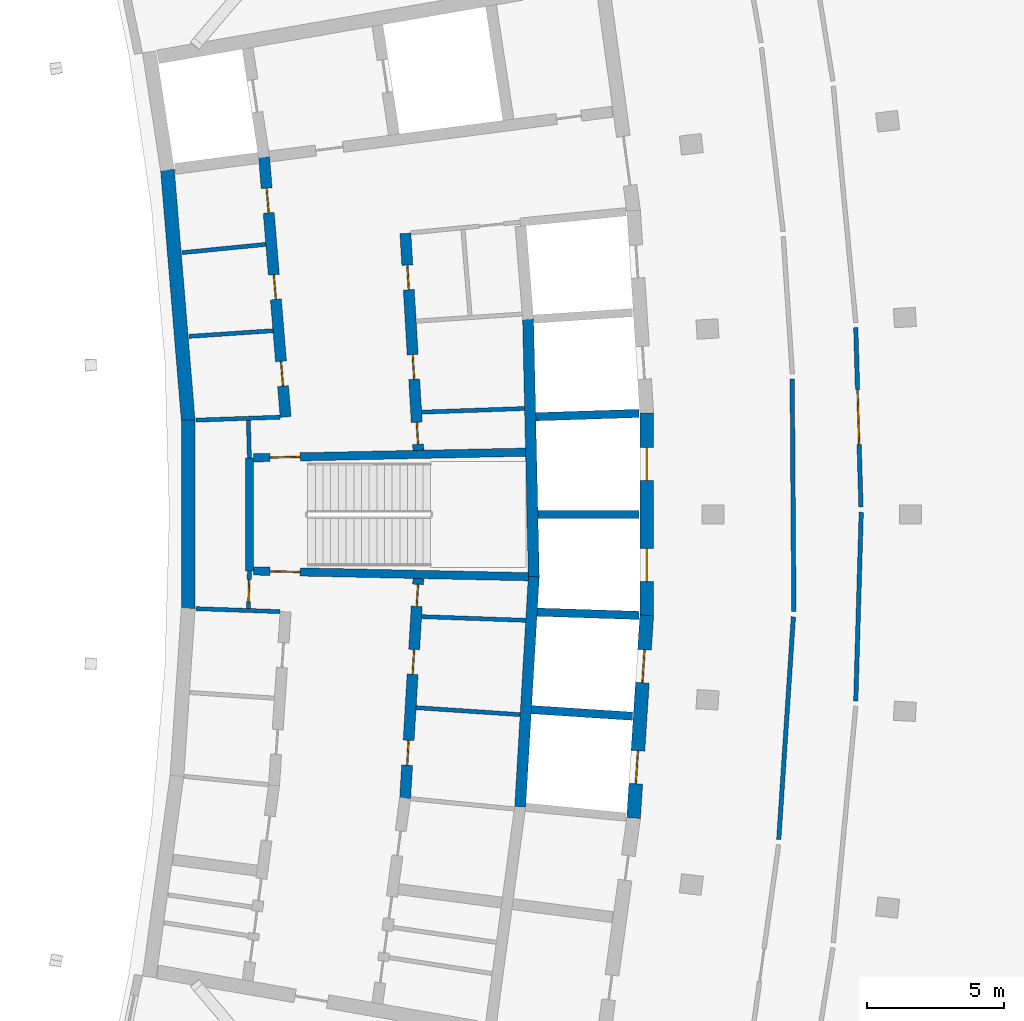
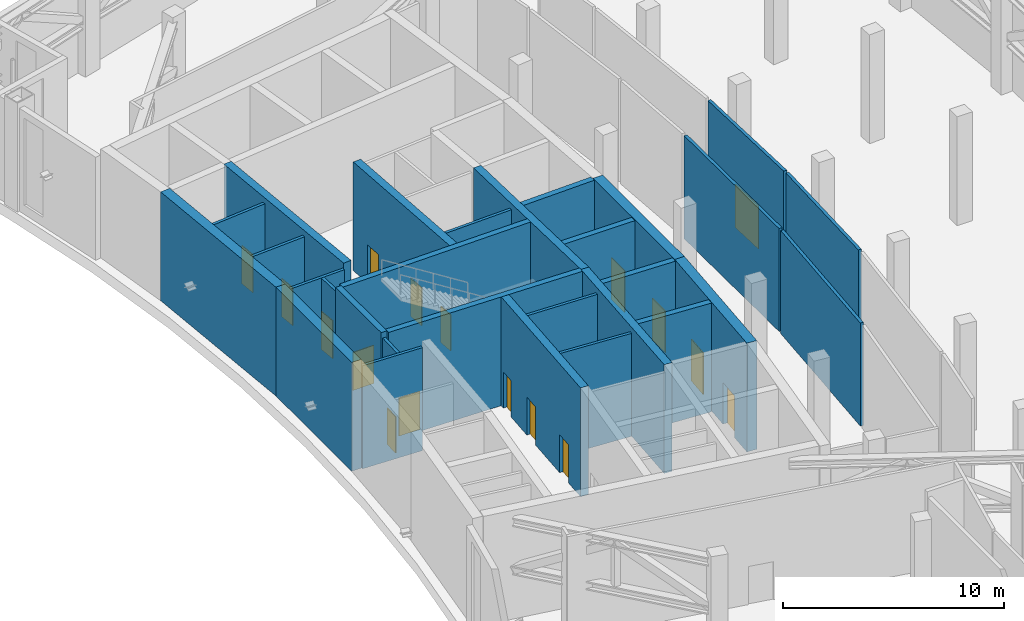
# One storey, part 15 of 23: 29 walls, 17 doors, 17 openings.
"""IFC4 building model written with IfcOpenShell, lengths in metres."""

from ifc_helpers import new_model, si_unit, direction, frame, frame_2d, origin, place, context, subcontext, project, spatial, rectangle, extrude, material, layer, layer_set, type_object, element, fill, save


model = new_model("IFC4")

# Units and contexts
model_context = context("Model", 3, precision=1e-05, world=origin(), true_north=direction((0.0, 1.0)))
body_context = subcontext(model_context, "Body", "Model", "MODEL_VIEW")
ifc_project = project(units=[si_unit("LENGTHUNIT", "METRE"), si_unit("AREAUNIT", "SQUARE_METRE"), si_unit("VOLUMEUNIT", "CUBIC_METRE"), si_unit("PLANEANGLEUNIT", "RADIAN"), si_unit("MASSUNIT", "GRAM", prefix="KILO")], contexts=[model_context])

# Site, building, storey
site_placement = place(None, origin())
site = spatial("IfcSite", under=ifc_project, at=site_placement, CompositionType="ELEMENT")
building_placement = place(site_placement, origin())
building = spatial("IfcBuilding", under=site, at=building_placement, Name="Alderwake Tower", CompositionType="ELEMENT")
storey_placement = place(building_placement, frame((0.0, 0.0, 239.60009765625)))
storey = spatial("IfcBuildingStorey", under=building, at=storey_placement, Name="L59", CompositionType="ELEMENT", Elevation=239.60009765625)

# Walls
ifc_material_1 = material(Name="Gypsum shaft wall system, rated")
ifc_layer_1 = layer(ifc_material_1, 0.14990234375)
ifc_layer_set_1 = layer_set([ifc_layer_1], Name="Core riser partition 150")
wall_type_1 = type_object("IfcWallType", Name="Core riser partition 150", PredefinedType="PARTITIONING", material=ifc_layer_set_1)
wall_1_placement = place(storey_placement, frame((25.1904296875, 57.276611328125, 0.0), z_axis=(0.0, 0.0, 1.0), x_axis=(0.999373547283, -0.03539086028, 0.0)))
element("IfcWall", 1, at=wall_1_placement, inside=storey, type_object=wall_type_1, Name="CW/L59/PR-37_+86", PredefinedType="PARTITIONING", context=body_context, shape_type="SweptSolid", body=[
    extrude(rectangle(XDim=3.794189453125, YDim=0.14990234375, at=frame_2d((1.89697265625, 0.0))), origin(), (0.0, 0.0, 1.0), 5.679931640625),
])
wall_2_placement = place(storey_placement, frame((25.191162109375, 64.723388671875, 0.0), z_axis=(0.0, 0.0, 1.0), x_axis=(0.999373256208, 0.035399078746, 0.0)))
element("IfcWall", 2, at=wall_2_placement, inside=storey, type_object=wall_type_1, Name="CW/L59/PR+37_+86", PredefinedType="PARTITIONING", context=body_context, shape_type="SweptSolid", body=[
    extrude(rectangle(XDim=3.751953125, YDim=0.14990234375, at=frame_2d((1.8759765625, 0.0))), origin(), (0.0, 0.0, 1.0), 5.679931640625),
])

# Wall, opening, door
ifc_material_2 = material(Name="Gypsum shaft wall system, rated")
ifc_layer_2 = layer(ifc_material_2, 0.14990234375)
ifc_layer_set_2 = layer_set([ifc_layer_2], Name="Core room partition 150")
wall_type_2 = type_object("IfcWallType", Name="Core room partition 150", PredefinedType="PARTITIONING", material=ifc_layer_set_2)
wall_3_placement = place(storey_placement, frame((18.918701171875, 58.94384765625, 0.0), z_axis=(0.0, 0.0, 1.0), x_axis=(-0.027811602725, -0.999613182563, 0.0)))
wall_3 = element("IfcWall", 3, at=wall_3_placement, inside=storey, type_object=wall_type_2, Name="CW/L59/PA+24_-37", PredefinedType="PARTITIONING", context=body_context, shape_type="SweptSolid", body=[
    extrude(rectangle(XDim=1.369384765625, YDim=0.14990234375, at=frame_2d((0.6845703125, 0.0))), origin(), (0.0, 0.0, 1.0), 5.679931640625),
])
opening_1_placement = place(wall_3_placement, frame((0.322998046875, 0.0, 0.0)))
opening_1 = element("IfcOpeningElement", 4, at=opening_1_placement, cuts=wall_3, Name="Opening C004", PredefinedType="OPENING", context=body_context, shape_type="SweptSolid", body=[
    extrude(rectangle(XDim=0.800048828125, YDim=2.0, at=frame_2d((0.39990234375, 1.0))), frame((0.0, 0.0849609375, 0.0), z_axis=(0.0, -1.0, 0.0), x_axis=(1.0, 0.0, 0.0)), (0.0, 0.0, 1.0), 0.169921875),
])
ifc_material_3 = material(Name="Painted steel leaf, rated", Category="steel")
door_type_1 = type_object("IfcDoorType", Name="Riser access door 800", OperationType="SINGLE_SWING_LEFT", PredefinedType="DOOR", material=ifc_material_3)
door_1_placement = place(opening_1_placement, origin())
door_1 = element("IfcDoor", 5, at=door_1_placement, inside=storey, type_object=door_type_1, Name="Riser access door", OperationType="SINGLE_SWING_RIGHT", OverallHeight=2.0, OverallWidth=0.800048828125, PredefinedType="DOOR", context=body_context, shape_type="SweptSolid", body=[
    extrude(rectangle(XDim=0.800048828125, YDim=2.0, at=frame_2d((0.39990234375, 1.0))), frame((0.0, 0.02490234375, 0.0), z_axis=(0.0, -1.0, 0.0), x_axis=(1.0, 0.0, 0.0)), (0.0, 0.0, 1.0), 0.050048828125),
])
fill(opening_1, door_1)

# Walls
wall_4_placement = place(storey_placement, frame((18.918701171875, 63.05517578125, 0.0), z_axis=(0.0, 0.0, 1.0), x_axis=(-0.027791791559, 0.99961373356, 0.0)))
element("IfcWall", 6, at=wall_4_placement, inside=storey, type_object=wall_type_2, Name="CW/L59/PA+24_+22", PredefinedType="PARTITIONING", context=body_context, shape_type="SweptSolid", body=[
    extrude(rectangle(XDim=1.370361328125, YDim=0.14990234375, at=frame_2d((0.68505859375, 0.0))), origin(), (0.0, 0.0, 1.0), 5.679931640625),
])
wall_5_placement = place(storey_placement, frame((24.990234375, 53.96142578125, 0.0), z_axis=(0.0, 0.0, 1.0), x_axis=(0.997761767472, -0.066868941756, 0.0)))
element("IfcWall", 7, at=wall_5_placement, inside=storey, type_object=wall_type_2, Name="CW/L59/PR-70_+86", PredefinedType="PARTITIONING", context=body_context, shape_type="SweptSolid", body=[
    extrude(rectangle(XDim=3.797119140625, YDim=0.14990234375, at=frame_2d((1.8984375, 0.0))), origin(), (0.0, 0.0, 1.0), 5.679931640625),
])
for number, where, z_axis, x_axis, name in (
    (8, (16.969482421875, 57.5673828125, 0.0), (0.0, 0.0, 1.0), (0.999376258731, -0.035314210814, 0.0), "CW/L59/PR-37_+0"),
    (9, (16.969482421875, 64.4326171875, 0.0), (0.0, 0.0, 1.0), (0.999376258731, 0.035314210814, 0.0), "CW/L59/PR+37_+0"),
):
    element("IfcWall", number, at=place(storey_placement, frame(where, z_axis=z_axis, x_axis=x_axis)), inside=storey, type_object=wall_type_2, Name=name, PredefinedType="PARTITIONING", context=body_context, shape_type="SweptSolid", body=[
        extrude(rectangle(XDim=3.069580078125, YDim=0.14990234375, at=frame_2d((1.53466796875, 0.0))), origin(), (0.0, 0.0, 1.0), 5.679931640625),
    ])
for number, where, z_axis, x_axis, name in (
    (10, (16.716552734375, 67.48388671875, 0.0), (0.0, 0.0, 1.0), (0.997761137574, 0.066878339895, 0.0), "CW/L59/PR+70_+0"),
    (11, (16.4638671875, 70.5322265625, 0.0), (0.0, 0.0, 1.0), (0.995153954228, 0.098329077004, 0.0), "CW/L59/PR+103_+0"),
):
    element("IfcWall", number, at=place(storey_placement, frame(where, z_axis=z_axis, x_axis=x_axis)), inside=storey, type_object=wall_type_2, Name=name, PredefinedType="PARTITIONING", context=body_context, shape_type="SweptSolid", body=[
        extrude(rectangle(XDim=3.06640625, YDim=0.14990234375, at=frame_2d((1.533203125, 0.0))), origin(), (0.0, 0.0, 1.0), 5.679931640625),
    ])
ifc_material_4 = material(Name="Concrete C70/85", Category="concrete")
ifc_layer_3 = layer(ifc_material_4, 0.5)
ifc_layer_set_3 = layer_set([ifc_layer_3], Name="Core wall outer 500 C70-85")
wall_type_3 = type_object("IfcWallType", Name="Core wall outer 500 C70-85", PredefinedType="SHEAR", material=ifc_layer_set_3)
wall_6_placement = place(storey_placement, frame((16.689453125, 57.568603515625, 0.0), z_axis=(0.0, 0.0, 1.0), x_axis=(0.0, 1.0, 0.0)))
element("IfcWall", 12, at=wall_6_placement, inside=storey, type_object=wall_type_3, Name="Core wall CW.029", PredefinedType="SHEAR", context=body_context, shape_type="SweptSolid", body=[
    extrude(rectangle(XDim=6.86474609375, YDim=0.5, at=frame_2d((3.432373046875, 0.0))), origin(), (0.0, 0.0, 1.0), 6.0),
])
wall_7_placement = place(storey_placement, frame((16.690185546875, 64.41162109375, 0.0), z_axis=(0.0, 0.0, 1.0), x_axis=(-0.082611702064, 0.996581811334, 0.0)))
element("IfcWall", 13, at=wall_7_placement, inside=storey, type_object=wall_type_3, Name="Core wall CW.026", PredefinedType="SHEAR", context=body_context, shape_type="SweptSolid", body=[
    extrude(rectangle(XDim=9.176025390625, YDim=0.5, at=frame_2d((4.587890625, 0.0))), origin(), (0.0, 0.0, 1.0), 6.0),
])

# Wall, openings, doors
wall_8_placement = place(storey_placement, frame((32.91015625, 49.942138671875, 0.0), z_axis=(0.0, 0.0, 1.0), x_axis=(0.064980500916, 0.997886533881, 0.0)))
wall_8 = element("IfcWall", 14, at=wall_8_placement, inside=storey, type_object=wall_type_3, Name="Core wall CW.021", PredefinedType="SHEAR", context=body_context, shape_type="SweptSolid", body=[
    extrude(rectangle(XDim=7.39404296875, YDim=0.5, at=frame_2d((3.697021484375, 0.0))), origin(), (0.0, 0.0, 1.0), 6.0),
])
opening_2_placement = place(wall_8_placement, frame((1.253173828125, 0.0, 0.0)))
opening_2 = element("IfcOpeningElement", 15, at=opening_2_placement, cuts=wall_8, Name="Opening LD-HP1", PredefinedType="OPENING", context=body_context, shape_type="SweptSolid", body=[
    extrude(rectangle(XDim=1.199951171875, YDim=2.300048828125, at=frame_2d((0.60009765625, 1.14990234375))), frame((0.0, 0.260009765625, 0.0), z_axis=(0.0, -1.0, 0.0), x_axis=(1.0, 0.0, 0.0)), (0.0, 0.0, 1.0), 0.52001953125),
])
opening_3_placement = place(wall_8_placement, frame((4.941650390625, 0.0, 0.0)))
opening_3 = element("IfcOpeningElement", 16, at=opening_3_placement, cuts=wall_8, Name="Opening LD-HP2", PredefinedType="OPENING", context=body_context, shape_type="SweptSolid", body=[
    extrude(rectangle(XDim=1.199951171875, YDim=2.300048828125, at=frame_2d((0.60009765625, 1.14990234375))), frame((0.0, 0.260009765625, 0.0), z_axis=(0.0, -1.0, 0.0), x_axis=(1.0, 0.0, 0.0)), (0.0, 0.0, 1.0), 0.52001953125),
])
ifc_material_5 = material(Name="Stainless steel sliding leaf", Category="steel")
door_type_2 = type_object("IfcDoorType", Name="Lift landing door 1200", OperationType="SLIDING_TO_LEFT", PredefinedType="DOOR", material=ifc_material_5)
door_2_placement = place(opening_2_placement, origin())
door_2 = element("IfcDoor", 17, at=door_2_placement, inside=storey, type_object=door_type_2, Name="Lift landing door HP1", OperationType="SLIDING_TO_LEFT", OverallHeight=2.300048828125, OverallWidth=1.199951171875, PredefinedType="DOOR", context=body_context, shape_type="SweptSolid", body=[
    extrude(rectangle(XDim=1.199951171875, YDim=2.300048828125, at=frame_2d((0.60009765625, 1.14990234375))), frame((0.0, 0.02490234375, 0.0), z_axis=(0.0, -1.0, 0.0), x_axis=(1.0, 0.0, 0.0)), (0.0, 0.0, 1.0), 0.050048828125),
])
fill(opening_2, door_2)
door_3_placement = place(opening_3_placement, origin())
door_3 = element("IfcDoor", 18, at=door_3_placement, inside=storey, type_object=door_type_2, Name="Lift landing door HP2", OperationType="SLIDING_TO_LEFT", OverallHeight=2.300048828125, OverallWidth=1.199951171875, PredefinedType="DOOR", context=body_context, shape_type="SweptSolid", body=[
    extrude(rectangle(XDim=1.199951171875, YDim=2.300048828125, at=frame_2d((0.60009765625, 1.14990234375))), frame((0.0, 0.02490234375, 0.0), z_axis=(0.0, -1.0, 0.0), x_axis=(1.0, 0.0, 0.0)), (0.0, 0.0, 1.0), 0.050048828125),
])
fill(opening_3, door_3)

wall_9_placement = place(storey_placement, frame((33.389892578125, 57.30322265625, 0.0), z_axis=(0.0, 0.0, 1.0), x_axis=(0.0, 1.0, 0.0)))
wall_9 = element("IfcWall", 19, at=wall_9_placement, inside=storey, type_object=wall_type_3, Name="Core wall CW.023", PredefinedType="SHEAR", context=body_context, shape_type="SweptSolid", body=[
    extrude(rectangle(XDim=7.3935546875, YDim=0.5, at=frame_2d((3.69677734375, 0.0))), origin(), (0.0, 0.0, 1.0), 6.0),
])
opening_4_placement = place(wall_9_placement, frame((1.25244140625, 0.0, 0.0)))
opening_4 = element("IfcOpeningElement", 20, at=opening_4_placement, cuts=wall_9, Name="Opening LD-HP3", PredefinedType="OPENING", context=body_context, shape_type="SweptSolid", body=[
    extrude(rectangle(XDim=1.199951171875, YDim=2.300048828125, at=frame_2d((0.60009765625, 1.14990234375))), frame((0.0, 0.260009765625, 0.0), z_axis=(0.0, -1.0, 0.0), x_axis=(1.0, 0.0, 0.0)), (0.0, 0.0, 1.0), 0.52001953125),
])
opening_5_placement = place(wall_9_placement, frame((4.94091796875, 0.0, 0.0)))
opening_5 = element("IfcOpeningElement", 21, at=opening_5_placement, cuts=wall_9, Name="Opening LD-HP4", PredefinedType="OPENING", context=body_context, shape_type="SweptSolid", body=[
    extrude(rectangle(XDim=1.199951171875, YDim=2.300048828125, at=frame_2d((0.60009765625, 1.14990234375))), frame((0.0, 0.260009765625, 0.0), z_axis=(0.0, -1.0, 0.0), x_axis=(1.0, 0.0, 0.0)), (0.0, 0.0, 1.0), 0.52001953125),
])
door_4_placement = place(opening_4_placement, origin())
door_4 = element("IfcDoor", 22, at=door_4_placement, inside=storey, type_object=door_type_2, Name="Lift landing door HP3", OperationType="SLIDING_TO_LEFT", OverallHeight=2.300048828125, OverallWidth=1.199951171875, PredefinedType="DOOR", context=body_context, shape_type="SweptSolid", body=[
    extrude(rectangle(XDim=1.199951171875, YDim=2.300048828125, at=frame_2d((0.60009765625, 1.14990234375))), frame((0.0, 0.02490234375, 0.0), z_axis=(0.0, -1.0, 0.0), x_axis=(1.0, 0.0, 0.0)), (0.0, 0.0, 1.0), 0.050048828125),
])
fill(opening_4, door_4)
door_5_placement = place(opening_5_placement, origin())
door_5 = element("IfcDoor", 23, at=door_5_placement, inside=storey, type_object=door_type_2, Name="Lift landing door HP4", OperationType="SLIDING_TO_LEFT", OverallHeight=2.300048828125, OverallWidth=1.199951171875, PredefinedType="DOOR", context=body_context, shape_type="SweptSolid", body=[
    extrude(rectangle(XDim=1.199951171875, YDim=2.300048828125, at=frame_2d((0.60009765625, 1.14990234375))), frame((0.0, 0.02490234375, 0.0), z_axis=(0.0, -1.0, 0.0), x_axis=(1.0, 0.0, 0.0)), (0.0, 0.0, 1.0), 0.050048828125),
])
fill(opening_5, door_5)

# Walls
ifc_material_6 = material(Name="Concrete C70/85", Category="concrete")
ifc_layer_4 = layer(ifc_material_6, 0.300048828125)
ifc_layer_set_4 = layer_set([ifc_layer_4], Name="Core wall shaft 300 C70-85")
wall_type_4 = type_object("IfcWallType", Name="Core wall shaft 300 C70-85", PredefinedType="SHEAR", material=ifc_layer_set_4)
wall_10_placement = place(storey_placement, frame((29.190185546875, 53.8896484375, 0.0), z_axis=(0.0, 0.0, 1.0), x_axis=(0.997885615286, -0.06499460597, 0.0)))
element("IfcWall", 24, at=wall_10_placement, inside=storey, type_object=wall_type_4, Name="Core wall CW.078", PredefinedType="SHEAR", context=body_context, shape_type="SweptSolid", body=[
    extrude(rectangle(XDim=3.688720703125, YDim=0.300048828125, at=frame_2d((1.84423828125, 0.0))), origin(), (0.0, 0.0, 1.0), 6.0),
])
wall_11_placement = place(storey_placement, frame((29.400634765625, 57.441650390625, 0.0), z_axis=(0.0, 0.0, 1.0), x_axis=(0.999471876479, -0.032495663221, 0.0)))
element("IfcWall", 25, at=wall_11_placement, inside=storey, type_object=wall_type_4, Name="Core wall CW.075", PredefinedType="SHEAR", context=body_context, shape_type="SweptSolid", body=[
    extrude(rectangle(XDim=3.71142578125, YDim=0.300048828125, at=frame_2d((1.855712890625, 0.0))), origin(), (0.0, 0.0, 1.0), 6.0),
])
wall_12_placement = place(storey_placement, frame((29.426025390625, 61.0, 0.0), z_axis=(0.0, 0.0, 1.0), x_axis=(1.0, 0.0, 0.0)))
element("IfcWall", 26, at=wall_12_placement, inside=storey, type_object=wall_type_4, Name="Core wall CW.048", PredefinedType="SHEAR", context=body_context, shape_type="SweptSolid", body=[
    extrude(rectangle(XDim=3.68408203125, YDim=0.300048828125, at=frame_2d((1.842041015625, 0.0))), origin(), (0.0, 0.0, 1.0), 6.0),
])
wall_13_placement = place(storey_placement, frame((29.347412109375, 64.556396484375, 0.0), z_axis=(0.0, 0.0, 1.0), x_axis=(0.99946995342, 0.032554757112, 0.0)))
element("IfcWall", 27, at=wall_13_placement, inside=storey, type_object=wall_type_4, Name="Core wall CW.058", PredefinedType="SHEAR", context=body_context, shape_type="SweptSolid", body=[
    extrude(rectangle(XDim=3.7646484375, YDim=0.300048828125, at=frame_2d((1.88232421875, 0.0))), origin(), (0.0, 0.0, 1.0), 6.0),
])

# Wall, openings, doors
ifc_material_7 = material(Name="Concrete C70/85", Category="concrete")
ifc_layer_5 = layer(ifc_material_7, 0.39990234375)
ifc_layer_set_5 = layer_set([ifc_layer_5], Name="Core wall spine 400 C70-85")
wall_type_5 = type_object("IfcWallType", Name="Core wall spine 400 C70-85", PredefinedType="SHEAR", material=ifc_layer_set_5)
wall_14_placement = place(storey_placement, frame((19.452392578125, 74.014892578125, 0.0), z_axis=(0.0, 0.0, 1.0), x_axis=(0.082628585297, -0.996580411654, 0.0)))
wall_14 = element("IfcWall", 28, at=wall_14_placement, inside=storey, type_object=wall_type_5, Name="Core wall CW.031", PredefinedType="SHEAR", context=body_context, shape_type="SweptSolid", body=[
    extrude(rectangle(XDim=9.499267578125, YDim=0.39990234375, at=frame_2d((4.74951171875, 0.0))), origin(), (0.0, 0.0, 1.0), 6.0),
])
opening_6_placement = place(wall_14_placement, frame((7.468017578125, 0.0, 0.0)))
opening_6 = element("IfcOpeningElement", 29, at=opening_6_placement, cuts=wall_14, Name="Opening C053", PredefinedType="OPENING", context=body_context, shape_type="SweptSolid", body=[
    extrude(rectangle(XDim=0.89990234375, YDim=2.10009765625, at=frame_2d((0.449951171875, 1.050048828125))), frame((0.0, 0.2099609375, 0.0), z_axis=(0.0, -1.0, 0.0), x_axis=(1.0, 0.0, 0.0)), (0.0, 0.0, 1.0), 0.419921875),
])
opening_7_placement = place(wall_14_placement, frame((4.30322265625, 0.0, 0.0)))
opening_7 = element("IfcOpeningElement", 30, at=opening_7_placement, cuts=wall_14, Name="Opening C055", PredefinedType="OPENING", context=body_context, shape_type="SweptSolid", body=[
    extrude(rectangle(XDim=0.89990234375, YDim=2.10009765625, at=frame_2d((0.449951171875, 1.050048828125))), frame((0.0, 0.2099609375, 0.0), z_axis=(0.0, -1.0, 0.0), x_axis=(1.0, 0.0, 0.0)), (0.0, 0.0, 1.0), 0.419921875),
])
opening_8_placement = place(wall_14_placement, frame((1.138671875, 0.0, 0.0)))
opening_8 = element("IfcOpeningElement", 31, at=opening_8_placement, cuts=wall_14, Name="Opening C056", PredefinedType="OPENING", context=body_context, shape_type="SweptSolid", body=[
    extrude(rectangle(XDim=0.89990234375, YDim=2.10009765625, at=frame_2d((0.449951171875, 1.050048828125))), frame((0.0, 0.2099609375, 0.0), z_axis=(0.0, -1.0, 0.0), x_axis=(1.0, 0.0, 0.0)), (0.0, 0.0, 1.0), 0.419921875),
])
ifc_material_8 = material(Name="Painted steel leaf", Category="steel")
door_type_3 = type_object("IfcDoorType", Name="Core room door 900", OperationType="SINGLE_SWING_LEFT", PredefinedType="DOOR", material=ifc_material_8)
door_6_placement = place(opening_6_placement, origin())
door_6 = element("IfcDoor", 32, at=door_6_placement, inside=storey, type_object=door_type_3, Name="Room door", OperationType="SINGLE_SWING_LEFT", OverallHeight=2.10009765625, OverallWidth=0.89990234375, PredefinedType="DOOR", context=body_context, shape_type="SweptSolid", body=[
    extrude(rectangle(XDim=0.89990234375, YDim=2.10009765625, at=frame_2d((0.449951171875, 1.050048828125))), frame((0.0, 0.02490234375, 0.0), z_axis=(0.0, -1.0, 0.0), x_axis=(1.0, 0.0, 0.0)), (0.0, 0.0, 1.0), 0.050048828125),
])
fill(opening_6, door_6)
door_7_placement = place(opening_7_placement, origin())
door_7 = element("IfcDoor", 33, at=door_7_placement, inside=storey, type_object=door_type_3, Name="Room door", OperationType="SINGLE_SWING_RIGHT", OverallHeight=2.10009765625, OverallWidth=0.89990234375, PredefinedType="DOOR", context=body_context, shape_type="SweptSolid", body=[
    extrude(rectangle(XDim=0.89990234375, YDim=2.10009765625, at=frame_2d((0.449951171875, 1.050048828125))), frame((0.0, 0.02490234375, 0.0), z_axis=(0.0, -1.0, 0.0), x_axis=(1.0, 0.0, 0.0)), (0.0, 0.0, 1.0), 0.050048828125),
])
fill(opening_7, door_7)
door_8_placement = place(opening_8_placement, origin())
door_8 = element("IfcDoor", 34, at=door_8_placement, inside=storey, type_object=door_type_3, Name="Room door", OperationType="SINGLE_SWING_LEFT", OverallHeight=2.10009765625, OverallWidth=0.89990234375, PredefinedType="DOOR", context=body_context, shape_type="SweptSolid", body=[
    extrude(rectangle(XDim=0.89990234375, YDim=2.10009765625, at=frame_2d((0.449951171875, 1.050048828125))), frame((0.0, 0.02490234375, 0.0), z_axis=(0.0, -1.0, 0.0), x_axis=(1.0, 0.0, 0.0)), (0.0, 0.0, 1.0), 0.050048828125),
])
fill(opening_8, door_8)

wall_15_placement = place(storey_placement, frame((24.590087890625, 50.65673828125, 0.0), z_axis=(0.0, 0.0, 1.0), x_axis=(0.060318641452, 0.998179173041, 0.0)))
wall_15 = element("IfcWall", 35, at=wall_15_placement, inside=storey, type_object=wall_type_5, Name="Core wall CW.046", PredefinedType="SHEAR", context=body_context, shape_type="SweptSolid", body=[
    extrude(rectangle(XDim=8.022216796875, YDim=0.39990234375, at=frame_2d((4.01123046875, 0.0))), origin(), (0.0, 0.0, 1.0), 6.0),
])
opening_9_placement = place(wall_15_placement, frame((7.006103515625, 0.0, 0.0)))
opening_9 = element("IfcOpeningElement", 36, at=opening_9_placement, cuts=wall_15, Name="Opening C006", PredefinedType="OPENING", context=body_context, shape_type="SweptSolid", body=[
    extrude(rectangle(XDim=0.800048828125, YDim=2.0, at=frame_2d((0.39990234375, 1.0))), frame((0.0, 0.2099609375, 0.0), z_axis=(0.0, -1.0, 0.0), x_axis=(1.0, 0.0, 0.0)), (0.0, 0.0, 1.0), 0.419921875),
])
opening_10_placement = place(wall_15_placement, frame((1.21533203125, 0.0, 0.0)))
opening_10 = element("IfcOpeningElement", 37, at=opening_10_placement, cuts=wall_15, Name="Opening C047", PredefinedType="OPENING", context=body_context, shape_type="SweptSolid", body=[
    extrude(rectangle(XDim=0.89990234375, YDim=2.10009765625, at=frame_2d((0.449951171875, 1.050048828125))), frame((0.0, 0.2099609375, 0.0), z_axis=(0.0, -1.0, 0.0), x_axis=(1.0, 0.0, 0.0)), (0.0, 0.0, 1.0), 0.419921875),
])
opening_11_placement = place(wall_15_placement, frame((4.531982421875, 0.0, 0.0)))
opening_11 = element("IfcOpeningElement", 38, at=opening_11_placement, cuts=wall_15, Name="Opening C048", PredefinedType="OPENING", context=body_context, shape_type="SweptSolid", body=[
    extrude(rectangle(XDim=0.89990234375, YDim=2.10009765625, at=frame_2d((0.449951171875, 1.050048828125))), frame((0.0, 0.2099609375, 0.0), z_axis=(0.0, -1.0, 0.0), x_axis=(1.0, 0.0, 0.0)), (0.0, 0.0, 1.0), 0.419921875),
])
door_9_placement = place(opening_10_placement, origin())
door_9 = element("IfcDoor", 39, at=door_9_placement, inside=storey, type_object=door_type_3, Name="Room door", OperationType="SINGLE_SWING_RIGHT", OverallHeight=2.10009765625, OverallWidth=0.89990234375, PredefinedType="DOOR", context=body_context, shape_type="SweptSolid", body=[
    extrude(rectangle(XDim=0.89990234375, YDim=2.10009765625, at=frame_2d((0.449951171875, 1.050048828125))), frame((0.0, 0.02490234375, 0.0), z_axis=(0.0, -1.0, 0.0), x_axis=(1.0, 0.0, 0.0)), (0.0, 0.0, 1.0), 0.050048828125),
])
fill(opening_10, door_9)
door_10_placement = place(opening_11_placement, origin())
door_10 = element("IfcDoor", 40, at=door_10_placement, inside=storey, type_object=door_type_3, Name="Room door", OperationType="SINGLE_SWING_LEFT", OverallHeight=2.10009765625, OverallWidth=0.89990234375, PredefinedType="DOOR", context=body_context, shape_type="SweptSolid", body=[
    extrude(rectangle(XDim=0.89990234375, YDim=2.10009765625, at=frame_2d((0.449951171875, 1.050048828125))), frame((0.0, 0.02490234375, 0.0), z_axis=(0.0, -1.0, 0.0), x_axis=(1.0, 0.0, 0.0)), (0.0, 0.0, 1.0), 0.050048828125),
])
fill(opening_11, door_10)
door_11_placement = place(opening_9_placement, origin())
door_11 = element("IfcDoor", 41, at=door_11_placement, inside=storey, type_object=door_type_1, Name="Riser access door", OperationType="SINGLE_SWING_RIGHT", OverallHeight=2.0, OverallWidth=0.800048828125, PredefinedType="DOOR", context=body_context, shape_type="SweptSolid", body=[
    extrude(rectangle(XDim=0.800048828125, YDim=2.0, at=frame_2d((0.39990234375, 1.0))), frame((0.0, 0.02490234375, 0.0), z_axis=(0.0, -1.0, 0.0), x_axis=(1.0, 0.0, 0.0)), (0.0, 0.0, 1.0), 0.050048828125),
])
fill(opening_9, door_11)

wall_16_placement = place(storey_placement, frame((25.073974609375, 63.335693359375, 0.0), z_axis=(0.0, 0.0, 1.0), x_axis=(-0.059848641072, 0.998207463487, 0.0)))
wall_16 = element("IfcWall", 42, at=wall_16_placement, inside=storey, type_object=wall_type_5, Name="Core wall CW.045", PredefinedType="SHEAR", context=body_context, shape_type="SweptSolid", body=[
    extrude(rectangle(XDim=7.913818359375, YDim=0.39990234375, at=frame_2d((3.95703125, 0.0))), origin(), (0.0, 0.0, 1.0), 6.0),
])
opening_12_placement = place(wall_16_placement, frame((0.216064453125, 0.0, 0.0)))
opening_12 = element("IfcOpeningElement", 43, at=opening_12_placement, cuts=wall_16, Name="Opening C005", PredefinedType="OPENING", context=body_context, shape_type="SweptSolid", body=[
    extrude(rectangle(XDim=0.800048828125, YDim=2.0, at=frame_2d((0.39990234375, 1.0))), frame((0.0, 0.2099609375, 0.0), z_axis=(0.0, -1.0, 0.0), x_axis=(1.0, 0.0, 0.0)), (0.0, 0.0, 1.0), 0.419921875),
])
opening_13_placement = place(wall_16_placement, frame((5.856201171875, 0.0, 0.0)))
opening_13 = element("IfcOpeningElement", 44, at=opening_13_placement, cuts=wall_16, Name="Opening C024", PredefinedType="OPENING", context=body_context, shape_type="SweptSolid", body=[
    extrude(rectangle(XDim=0.89990234375, YDim=2.10009765625, at=frame_2d((0.449951171875, 1.050048828125))), frame((0.0, 0.2099609375, 0.0), z_axis=(0.0, -1.0, 0.0), x_axis=(1.0, 0.0, 0.0)), (0.0, 0.0, 1.0), 0.419921875),
])
opening_14_placement = place(wall_16_placement, frame((2.590087890625, 0.0, 0.0)))
opening_14 = element("IfcOpeningElement", 45, at=opening_14_placement, cuts=wall_16, Name="Opening C059", PredefinedType="OPENING", context=body_context, shape_type="SweptSolid", body=[
    extrude(rectangle(XDim=0.89990234375, YDim=2.10009765625, at=frame_2d((0.449951171875, 1.050048828125))), frame((0.0, 0.2099609375, 0.0), z_axis=(0.0, -1.0, 0.0), x_axis=(1.0, 0.0, 0.0)), (0.0, 0.0, 1.0), 0.419921875),
])
door_12_placement = place(opening_13_placement, origin())
door_12 = element("IfcDoor", 46, at=door_12_placement, inside=storey, type_object=door_type_3, Name="Room door", OperationType="SINGLE_SWING_LEFT", OverallHeight=2.10009765625, OverallWidth=0.89990234375, PredefinedType="DOOR", context=body_context, shape_type="SweptSolid", body=[
    extrude(rectangle(XDim=0.89990234375, YDim=2.10009765625, at=frame_2d((0.449951171875, 1.050048828125))), frame((0.0, 0.02490234375, 0.0), z_axis=(0.0, -1.0, 0.0), x_axis=(1.0, 0.0, 0.0)), (0.0, 0.0, 1.0), 0.050048828125),
])
fill(opening_13, door_12)
door_13_placement = place(opening_14_placement, origin())
door_13 = element("IfcDoor", 47, at=door_13_placement, inside=storey, type_object=door_type_3, Name="Room door", OperationType="SINGLE_SWING_RIGHT", OverallHeight=2.10009765625, OverallWidth=0.89990234375, PredefinedType="DOOR", context=body_context, shape_type="SweptSolid", body=[
    extrude(rectangle(XDim=0.89990234375, YDim=2.10009765625, at=frame_2d((0.449951171875, 1.050048828125))), frame((0.0, 0.02490234375, 0.0), z_axis=(0.0, -1.0, 0.0), x_axis=(1.0, 0.0, 0.0)), (0.0, 0.0, 1.0), 0.050048828125),
])
fill(opening_14, door_13)
door_14_placement = place(opening_12_placement, origin())
door_14 = element("IfcDoor", 48, at=door_14_placement, inside=storey, type_object=door_type_1, Name="Riser access door", OperationType="SINGLE_SWING_LEFT", OverallHeight=2.0, OverallWidth=0.800048828125, PredefinedType="DOOR", context=body_context, shape_type="SweptSolid", body=[
    extrude(rectangle(XDim=0.800048828125, YDim=2.0, at=frame_2d((0.39990234375, 1.0))), frame((0.0, 0.02490234375, 0.0), z_axis=(0.0, -1.0, 0.0), x_axis=(1.0, 0.0, 0.0)), (0.0, 0.0, 1.0), 0.050048828125),
])
fill(opening_12, door_14)

# Walls
wall_17_placement = place(storey_placement, frame((28.780029296875, 50.34765625, 0.0), z_axis=(0.0, 0.0, 1.0), x_axis=(0.05912910263, 0.998250343963, 0.0)))
element("IfcWall", 49, at=wall_17_placement, inside=storey, type_object=wall_type_5, Name="Core wall CW.004", PredefinedType="SHEAR", context=body_context, shape_type="SweptSolid", body=[
    extrude(rectangle(XDim=8.40234375, YDim=0.39990234375, at=frame_2d((4.201171875, 0.0))), origin(), (0.0, 0.0, 1.0), 6.0),
])
wall_18_placement = place(storey_placement, frame((29.276611328125, 58.71826171875, 0.0), z_axis=(0.0, 0.0, 1.0), x_axis=(-0.022119171053, 0.999755341207, 0.0)))
element("IfcWall", 50, at=wall_18_placement, inside=storey, type_object=wall_type_5, Name="Core wall CW.007", PredefinedType="SHEAR", context=body_context, shape_type="SweptSolid", body=[
    extrude(rectangle(XDim=9.392822265625, YDim=0.39990234375, at=frame_2d((4.6962890625, 0.0))), origin(), (0.0, 0.0, 1.0), 6.0),
])
ifc_material_9 = material(Name="Concrete C70/85", Category="concrete")
ifc_layer_6 = layer(ifc_material_9, 0.300048828125)
ifc_layer_set_6 = layer_set([ifc_layer_6], Name="Core wall stair enclosure 300 C70-85")
wall_type_6 = type_object("IfcWallType", Name="Core wall stair enclosure 300 C70-85", PredefinedType="SHEAR", material=ifc_layer_set_6)
wall_19_placement = place(storey_placement, frame((18.918701171875, 58.940673828125, 0.0), z_axis=(0.0, 0.0, 1.0), x_axis=(0.0, 1.0, 0.0)))
element("IfcWall", 51, at=wall_19_placement, inside=storey, type_object=wall_type_6, Name="Core wall CW.024", PredefinedType="SHEAR", context=body_context, shape_type="SweptSolid", body=[
    extrude(rectangle(XDim=4.11962890625, YDim=0.300048828125, at=frame_2d((2.059814453125, 0.0))), origin(), (0.0, 0.0, 1.0), 6.0),
])

# Wall, opening, door
wall_20_placement = place(storey_placement, frame((29.076416015625, 58.73095703125, 0.0), z_axis=(0.0, 0.0, 1.0), x_axis=(-0.99978356433, 0.020804434533, 0.0)))
wall_20 = element("IfcWall", 52, at=wall_20_placement, inside=storey, type_object=wall_type_6, Name="Core wall CW.074", PredefinedType="SHEAR", context=body_context, shape_type="SweptSolid", body=[
    extrude(rectangle(XDim=10.010009765625, YDim=0.300048828125, at=frame_2d((5.0048828125, 0.0))), origin(), (0.0, 0.0, 1.0), 6.0),
])
opening_15_placement = place(wall_20_placement, frame((8.309814453125, 0.0, 0.0)))
opening_15 = element("IfcOpeningElement", 53, at=opening_15_placement, cuts=wall_20, Name="Opening C063", PredefinedType="OPENING", context=body_context, shape_type="SweptSolid", body=[
    extrude(rectangle(XDim=1.10009765625, YDim=2.10009765625, at=frame_2d((0.550048828125, 1.050048828125))), frame((0.0, 0.159912109375, 0.0), z_axis=(0.0, -1.0, 0.0), x_axis=(1.0, 0.0, 0.0)), (0.0, 0.0, 1.0), 0.320068359375),
])
ifc_material_10 = material(Name="Steel-framed fire door leaf", Category="steel")
door_type_4 = type_object("IfcDoorType", Name="Core stair door 1100 fire-rated", OperationType="SINGLE_SWING_LEFT", PredefinedType="DOOR", material=ifc_material_10)
door_15_placement = place(opening_15_placement, origin())
door_15 = element("IfcDoor", 54, at=door_15_placement, inside=storey, type_object=door_type_4, Name="Stair door", OperationType="SINGLE_SWING_LEFT", OverallHeight=2.10009765625, OverallWidth=1.10009765625, PredefinedType="DOOR", context=body_context, shape_type="SweptSolid", body=[
    extrude(rectangle(XDim=1.10009765625, YDim=2.10009765625, at=frame_2d((0.550048828125, 1.050048828125))), frame((0.0, 0.02490234375, 0.0), z_axis=(0.0, -1.0, 0.0), x_axis=(1.0, 0.0, 0.0)), (0.0, 0.0, 1.0), 0.050048828125),
])
fill(opening_15, door_15)

wall_21_placement = place(storey_placement, frame((19.068603515625, 63.060791015625, 0.0), z_axis=(0.0, 0.0, 1.0), x_axis=(0.999783782948, 0.020793925895, 0.0)))
wall_21 = element("IfcWall", 55, at=wall_21_placement, inside=storey, type_object=wall_type_6, Name="Core wall CW.057", PredefinedType="SHEAR", context=body_context, shape_type="SweptSolid", body=[
    extrude(rectangle(XDim=9.909423828125, YDim=0.300048828125, at=frame_2d((4.95458984375, 0.0))), origin(), (0.0, 0.0, 1.0), 6.0),
])
opening_16_placement = place(wall_21_placement, frame((0.60009765625, 0.0, 0.0)))
opening_16 = element("IfcOpeningElement", 56, at=opening_16_placement, cuts=wall_21, Name="Opening C064", PredefinedType="OPENING", context=body_context, shape_type="SweptSolid", body=[
    extrude(rectangle(XDim=1.10009765625, YDim=2.10009765625, at=frame_2d((0.550048828125, 1.050048828125))), frame((0.0, 0.159912109375, 0.0), z_axis=(0.0, -1.0, 0.0), x_axis=(1.0, 0.0, 0.0)), (0.0, 0.0, 1.0), 0.320068359375),
])
door_16_placement = place(opening_16_placement, origin())
door_16 = element("IfcDoor", 57, at=door_16_placement, inside=storey, type_object=door_type_4, Name="Stair door", OperationType="SINGLE_SWING_RIGHT", OverallHeight=2.10009765625, OverallWidth=1.10009765625, PredefinedType="DOOR", context=body_context, shape_type="SweptSolid", body=[
    extrude(rectangle(XDim=1.10009765625, YDim=2.10009765625, at=frame_2d((0.550048828125, 1.050048828125))), frame((0.0, 0.02490234375, 0.0), z_axis=(0.0, -1.0, 0.0), x_axis=(1.0, 0.0, 0.0)), (0.0, 0.0, 1.0), 0.050048828125),
])
fill(opening_16, door_16)

# Walls
ifc_material_11 = material(Name="Gypsum board on metal studs, rated")
ifc_layer_7 = layer(ifc_material_11, 0.159912109375)
ifc_layer_set_7 = layer_set([ifc_layer_7], Name="Corridor wall 160")
wall_type_7 = type_object("IfcWallType", Name="Corridor wall 160", PredefinedType="PARTITIONING", material=ifc_layer_set_7)
wall_22_placement = place(storey_placement, frame((38.68701171875, 65.92822265625, 0.0), z_axis=(0.0, 0.0, 1.0), x_axis=(0.007262474904, -0.999973627881, 0.0)))
element("IfcWall", 58, at=wall_22_placement, inside=storey, type_object=wall_type_7, Name="WL/L59/W28", PredefinedType="PARTITIONING", context=body_context, shape_type="SweptSolid", body=[
    extrude(rectangle(XDim=8.471435546875, YDim=0.159912109375, at=frame_2d((4.23583984375, 0.0))), origin(), (0.0, 0.0, 1.0), 5.679931640625),
])
wall_23_placement = place(storey_placement, frame((38.73046875, 57.27099609375, 0.0), z_axis=(0.0, 0.0, 1.0), x_axis=(-0.065448441395, -0.997855952289, 0.0)))
element("IfcWall", 59, at=wall_23_placement, inside=storey, type_object=wall_type_7, Name="WL/L59/W29", PredefinedType="PARTITIONING", context=body_context, shape_type="SweptSolid", body=[
    extrude(rectangle(XDim=8.128173828125, YDim=0.159912109375, at=frame_2d((4.06396484375, 0.0))), origin(), (0.0, 0.0, 1.0), 5.679931640625),
])
wall_24_placement = place(storey_placement, frame((41.002685546875, 54.20068359375, 0.0), z_axis=(0.0, 0.0, 1.0), x_axis=(0.028879835058, 0.999582890573, 0.0)))
element("IfcWall", 60, at=wall_24_placement, inside=storey, type_object=wall_type_7, Name="WL/L59/W33", PredefinedType="PARTITIONING", context=body_context, shape_type="SweptSolid", body=[
    extrude(rectangle(XDim=6.88134765625, YDim=0.159912109375, at=frame_2d((3.440673828125, 0.0))), origin(), (0.0, 0.0, 1.0), 5.679931640625),
])

# Wall, opening, door
wall_25_placement = place(storey_placement, frame((41.19140625, 61.265625, 0.0), z_axis=(0.0, 0.0, 1.0), x_axis=(-0.02886788617, 0.999583235728, 0.0)))
wall_25 = element("IfcWall", 61, at=wall_25_placement, inside=storey, type_object=wall_type_7, Name="WL/L59/W35", PredefinedType="PARTITIONING", context=body_context, shape_type="SweptSolid", body=[
    extrude(rectangle(XDim=6.537353515625, YDim=0.159912109375, at=frame_2d((3.2685546875, 0.0))), origin(), (0.0, 0.0, 1.0), 5.679931640625),
])
opening_17_placement = place(wall_25_placement, frame((2.2841796875, 0.0, 0.0)))
opening_17 = element("IfcOpeningElement", 62, at=opening_17_placement, cuts=wall_25, Name="Opening L59-05", PredefinedType="OPENING", context=body_context, shape_type="SweptSolid", body=[
    extrude(rectangle(XDim=2.0, YDim=2.39990234375, at=frame_2d((1.0, 1.199951171875))), frame((0.0, 0.08984375, 0.0), z_axis=(0.0, -1.0, 0.0), x_axis=(1.0, 0.0, 0.0)), (0.0, 0.0, 1.0), 0.179931640625),
])
ifc_material_12 = material(Name="Timber leaves with glazed panels", Category="wood")
door_type_5 = type_object("IfcDoorType", Name="Hall double door 2000", OperationType="DOUBLE_DOOR_SINGLE_SWING", PredefinedType="DOOR", material=ifc_material_12)
door_17_placement = place(opening_17_placement, origin())
door_17 = element("IfcDoor", 63, at=door_17_placement, inside=storey, type_object=door_type_5, Name="DR/L59/05", OperationType="DOUBLE_DOOR_SINGLE_SWING", OverallHeight=2.39990234375, OverallWidth=2.0, PredefinedType="DOOR", context=body_context, shape_type="SweptSolid", body=[
    extrude(rectangle(XDim=2.0, YDim=2.39990234375, at=frame_2d((1.0, 1.199951171875))), frame((0.0, 0.02490234375, 0.0), z_axis=(0.0, -1.0, 0.0), x_axis=(1.0, 0.0, 0.0)), (0.0, 0.0, 1.0), 0.050048828125),
])
fill(opening_17, door_17)

save(model, "model.ifc")
